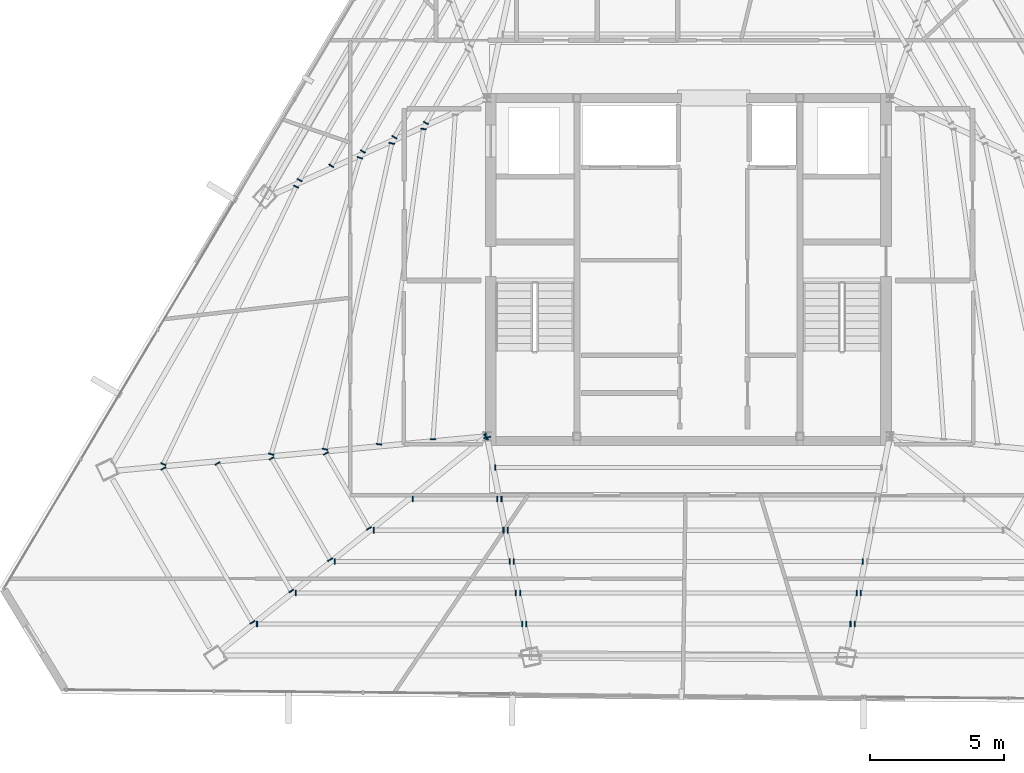
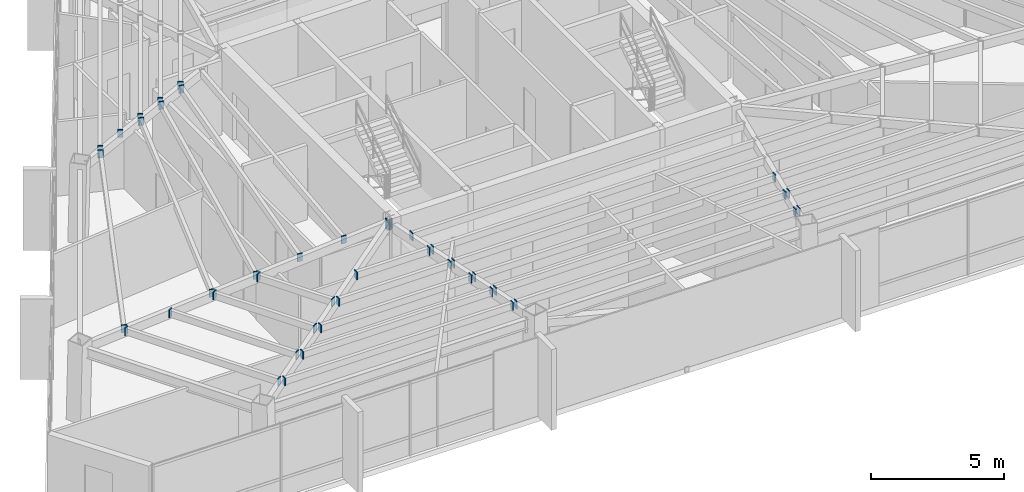
# One storey, part 38 of 47: 46 plates.
"""IFC4 building model written with IfcOpenShell, lengths in metres."""

from ifc_helpers import new_model, si_unit, direction, frame, origin, origin_2d, place, context, subcontext, project, spatial, rectangle, extrude, source, transform, mapped, material, layer, layer_set, type_object, type_shapes, element, save


model = new_model("IFC4")

# Units and contexts
model_context = context("Model", 3, precision=1e-05, world=origin(), true_north=direction((0.0, 1.0)))
body_context = subcontext(model_context, "Body", "Model", "MODEL_VIEW")
ifc_project = project(units=[si_unit("LENGTHUNIT", "METRE"), si_unit("AREAUNIT", "SQUARE_METRE"), si_unit("VOLUMEUNIT", "CUBIC_METRE"), si_unit("PLANEANGLEUNIT", "RADIAN"), si_unit("MASSUNIT", "GRAM", prefix="KILO")], contexts=[model_context])

# Site, building, storey
site_placement = place(None, origin())
site = spatial("IfcSite", under=ifc_project, at=site_placement, CompositionType="ELEMENT")
building_placement = place(site_placement, origin())
building = spatial("IfcBuilding", under=site, at=building_placement, Name="Caelisora Broadcast Tower", CompositionType="ELEMENT")
storey_placement = place(building_placement, frame((0.0, 0.0, 248.10009765625)))
storey = spatial("IfcBuildingStorey", under=building, at=storey_placement, Name="L65", CompositionType="ELEMENT", Elevation=248.10009765625)

# Plates
ifc_material = material(Name="Steel Grade 350 L15 (AS/NZS 3678)", Category="steel")
ifc_layer = layer(ifc_material, 0.0400390625, Name="Steel Grade 350 L15 (AS/NZS 3678)")
ifc_layer_set = layer_set([ifc_layer], Name="Steel Grade 350 L15 (AS/NZS 3678)")
plate_type = type_object("IfcPlateType", Name="GP04", PredefinedType="USERDEFINED", material=ifc_layer_set)
shared_shape_1 = source(origin(), body_context, "Body", "SweptSolid", [
    extrude(rectangle(XDim=0.260009765625, YDim=0.0400390625, at=origin_2d()), origin(), (0.0, 0.0, 1.0), 0.4599609375),
])
for number, where, z_axis, x_axis, name in (
    (1, (30.460205078125, 17.396240234375, 2.969970703125), (0.0, 0.0, 1.0), (0.092196799296, -0.995740804728, 0.0), "L65 gusset plate GP04 (ND-RAD-L65-05)"),
    (2, (30.46875, 17.375, 2.969970703125), (0.0, 0.0, 1.0), (0.626467781687, -0.779447316057, 0.0), "L65 gusset plate GP04 (ND-RAD-L65-06)"),
    (3, (30.5078125, 17.36083984375, 2.969970703125), (0.0, 0.0, 1.0), (0.980955155349, 0.19423435122, 0.0), "L65 gusset plate GP04 (ND-RAD-L65-07)"),
):
    element("IfcPlate", number, at=place(storey_placement, frame(where, z_axis=z_axis, x_axis=x_axis)), inside=storey, type_object=plate_type, Name=name, ObjectType="GUSSET PLATE", PredefinedType="USERDEFINED", context=body_context, shape_type="MappedRepresentation", body=[
        mapped(shared_shape_1, transform((0.0, 0.0, 0.0), scale=1.0)),
    ])
shared_shape_2 = source(origin(), body_context, "Body", "SweptSolid", [
    extrude(rectangle(XDim=0.2099609375, YDim=0.0400390625, at=origin_2d()), origin(), (0.0, 0.0, 1.0), 0.360107421875),
])
type_shapes(plate_type, [shared_shape_1, shared_shape_2])
for number, where, z_axis, x_axis, name in (
    (4, (28.224365234375, 29.06689453125, 3.06982421875), (0.0, 0.0, 1.0), (0.866025403784, -0.5, 0.0), "L65 gusset plate GP04 (ND-SB-L65-012B)"),
    (5, (27.04931640625, 28.5361328125, 3.06982421875), (0.0, 0.0, 1.0), (0.866025403784, -0.5, 0.0), "L65 gusset plate GP04 (ND-SB-L65-013B)"),
    (6, (25.87451171875, 28.00537109375, 3.06982421875), (0.0, 0.0, 1.0), (0.866025403784, -0.5, 0.0), "L65 gusset plate GP04 (ND-SB-L65-014B)"),
    (7, (24.699462890625, 27.474609375, 3.06982421875), (0.0, 0.0, 1.0), (0.866025403784, -0.5, 0.0), "L65 gusset plate GP04 (ND-SB-L65-015B)"),
    (8, (23.5244140625, 26.94384765625, 3.06982421875), (0.0, 0.0, 1.0), (0.866025403784, -0.5, 0.0), "L65 gusset plate GP04 (ND-SB-L65-016B)"),
    (9, (28.489990234375, 17.29150390625, 3.06982421875), (0.0, 0.0, 1.0), (0.997660476238, -0.068363544026, 0.0), "L65 gusset plate GP04 (ND-SB-L65-017B)"),
    (10, (28.13671875, 28.843994140625, 3.06982421875), (0.0, 0.0, 1.0), (0.990195062136, -0.139691585007, 0.0), "L65 gusset plate GP04 (ND-SB-L65-018A)"),
    (11, (26.480224609375, 17.105712890625, 3.06982421875), (0.0, 0.0, 1.0), (0.990195062136, -0.139691585007, 0.0), "L65 gusset plate GP04 (ND-SB-L65-018B)"),
    (12, (26.95361328125, 28.308349609375, 3.06982421875), (0.0, 0.0, 1.0), (0.977045574435, -0.213030386275, 0.0), "L65 gusset plate GP04 (ND-SB-L65-019A)"),
    (13, (24.470947265625, 16.920166015625, 3.06982421875), (0.0, 0.0, 1.0), (0.977045574435, -0.213030386275, 0.0), "L65 gusset plate GP04 (ND-SB-L65-019B)"),
    (14, (25.768798828125, 27.77197265625, 3.06982421875), (0.0, 0.0, 1.0), (0.957922744234, -0.287026159226, 0.0), "L65 gusset plate GP04 (ND-SB-L65-020A)"),
    (15, (22.46240234375, 16.73486328125, 3.06982421875), (0.0, 0.0, 1.0), (0.957922744234, -0.287026159226, 0.0), "L65 gusset plate GP04 (ND-SB-L65-020B)"),
    (16, (23.393310546875, 26.696044921875, 3.06982421875), (0.0, 0.0, 1.0), (0.901983297839, -0.431770923546, 0.0), "L65 gusset plate GP04 (ND-SB-L65-021A)"),
    (17, (18.447509765625, 16.364501953125, 3.06982421875), (0.0, 0.0, 1.0), (0.901983297839, -0.431770923546, 0.0), "L65 gusset plate GP04 (ND-SB-L65-021B)"),
    (18, (24.4970703125, 16.7646484375, 3.06982421875), (0.0, 0.0, 1.0), (0.866025403784, 0.5, 0.0), "L65 gusset plate GP04 (ND-SB-L65-022A)"),
    (19, (26.1103515625, 13.970458984375, 3.06982421875), (0.0, 0.0, 1.0), (0.866025403784, 0.5, 0.0), "L65 gusset plate GP04 (ND-SB-L65-022B)"),
    (20, (22.481689453125, 16.578125, 3.06982421875), (0.0, 0.0, 1.0), (0.866025403784, 0.5, 0.0), "L65 gusset plate GP04 (ND-SB-L65-023A)"),
    (21, (24.66015625, 12.8046875, 3.06982421875), (0.0, 0.0, 1.0), (0.866025403784, 0.5, 0.0), "L65 gusset plate GP04 (ND-SB-L65-023B)"),
    (22, (20.46630859375, 16.3916015625, 3.06982421875), (0.0, 0.0, 1.0), (0.866025403784, 0.5, 0.0), "L65 gusset plate GP04 (ND-SB-L65-024A)"),
    (23, (23.2099609375, 11.638916015625, 3.06982421875), (0.0, 0.0, 1.0), (0.866025403784, 0.5, 0.0), "L65 gusset plate GP04 (ND-SB-L65-024B)"),
    (24, (18.45068359375, 16.204833984375, 3.06982421875), (0.0, 0.0, 1.0), (0.866025403784, 0.5, 0.0), "L65 gusset plate GP04 (ND-SB-L65-025A)"),
    (25, (21.760009765625, 10.473388671875, 3.06982421875), (0.0, 0.0, 1.0), (0.866025403784, 0.5, 0.0), "L65 gusset plate GP04 (ND-SB-L65-025B)"),
    (26, (27.736328125, 15.068603515625, 3.06982421875), (0.0, 0.0, 1.0), (0.0, 1.0, 0.0), "L65 gusset plate GP04 (ND-SB-L65-026A)"),
    (27, (30.8828125, 15.068603515625, 3.06982421875), (0.0, 0.0, 1.0), (0.0, 1.0, 0.0), "L65 gusset plate GP04 (ND-SB-L65-026B)"),
    (28, (26.2861328125, 13.90283203125, 3.06982421875), (0.0, 0.0, 1.0), (0.0, 1.0, 0.0), "L65 gusset plate GP04 (ND-SB-L65-027A)"),
    (29, (31.11376953125, 13.90283203125, 3.06982421875), (0.0, 0.0, 1.0), (0.0, 1.0, 0.0), "L65 gusset plate GP04 (ND-SB-L65-027B)"),
    (30, (24.8359375, 12.737060546875, 3.06982421875), (0.0, 0.0, 1.0), (0.0, 1.0, 0.0), "L65 gusset plate GP04 (ND-SB-L65-028A)"),
    (31, (31.3447265625, 12.737060546875, 3.06982421875), (0.0, 0.0, 1.0), (0.0, 1.0, 0.0), "L65 gusset plate GP04 (ND-SB-L65-028B)"),
    (32, (23.3857421875, 11.5712890625, 3.06982421875), (0.0, 0.0, 1.0), (0.0, 1.0, 0.0), "L65 gusset plate GP04 (ND-SB-L65-029A)"),
    (33, (31.57568359375, 11.5712890625, 3.06982421875), (0.0, 0.0, 1.0), (0.0, 1.0, 0.0), "L65 gusset plate GP04 (ND-SB-L65-029B)"),
    (34, (21.935546875, 10.405517578125, 3.06982421875), (0.0, 0.0, 1.0), (0.0, 1.0, 0.0), "L65 gusset plate GP04 (ND-SB-L65-030A)"),
    (35, (31.806396484375, 10.405517578125, 3.06982421875), (0.0, 0.0, 1.0), (0.0, 1.0, 0.0), "L65 gusset plate GP04 (ND-SB-L65-030B)"),
    (36, (30.809814453125, 16.234375, 3.06982421875), (0.0, 0.0, 1.0), (0.0, 1.0, 0.0), "L65 gusset plate GP04 (ND-SB-L65-031A)"),
    (37, (31.040771484375, 15.068603515625, 3.06982421875), (0.0, 0.0, 1.0), (0.0, 1.0, 0.0), "L65 gusset plate GP04 (ND-SB-L65-032A)"),
    (38, (31.271484375, 13.90283203125, 3.06982421875), (0.0, 0.0, 1.0), (0.0, 1.0, 0.0), "L65 gusset plate GP04 (ND-SB-L65-033A)"),
    (39, (31.50244140625, 12.737060546875, 3.06982421875), (0.0, 0.0, 1.0), (0.0, 1.0, 0.0), "L65 gusset plate GP04 (ND-SB-L65-034A)"),
    (40, (44.49755859375, 12.737060546875, 3.06982421875), (0.0, 0.0, 1.0), (0.0, 1.0, 0.0), "L65 gusset plate GP04 (ND-SB-L65-034B)"),
    (41, (31.7333984375, 11.5712890625, 3.06982421875), (0.0, 0.0, 1.0), (0.0, 1.0, 0.0), "L65 gusset plate GP04 (ND-SB-L65-035A)"),
    (42, (44.2666015625, 11.5712890625, 3.06982421875), (0.0, 0.0, 1.0), (0.0, 1.0, 0.0), "L65 gusset plate GP04 (ND-SB-L65-035B)"),
    (43, (31.96435546875, 10.405517578125, 3.06982421875), (0.0, 0.0, 1.0), (0.0, 1.0, 0.0), "L65 gusset plate GP04 (ND-SB-L65-036A)"),
    (44, (44.03564453125, 10.405517578125, 3.06982421875), (0.0, 0.0, 1.0), (0.0, 1.0, 0.0), "L65 gusset plate GP04 (ND-SB-L65-036B)"),
    (45, (44.42431640625, 11.5712890625, 3.06982421875), (0.0, 0.0, 1.0), (0.0, 1.0, 0.0), "L65 gusset plate GP04 (ND-SB-L65-040A)"),
    (46, (44.193603515625, 10.405517578125, 3.06982421875), (0.0, 0.0, 1.0), (0.0, 1.0, 0.0), "L65 gusset plate GP04 (ND-SB-L65-041A)"),
):
    element("IfcPlate", number, at=place(storey_placement, frame(where, z_axis=z_axis, x_axis=x_axis)), inside=storey, type_object=plate_type, Name=name, ObjectType="GUSSET PLATE", PredefinedType="USERDEFINED", context=body_context, shape_type="MappedRepresentation", body=[
        mapped(shared_shape_2, transform((0.0, 0.0, 0.0), scale=1.0)),
    ])

save(model, "model.ifc")
